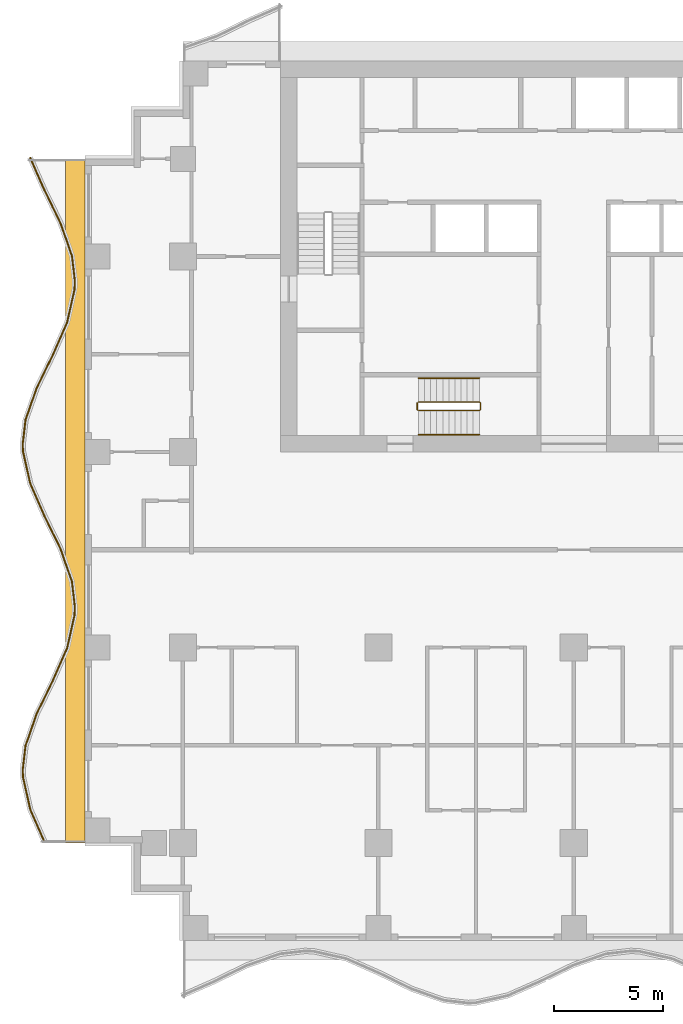
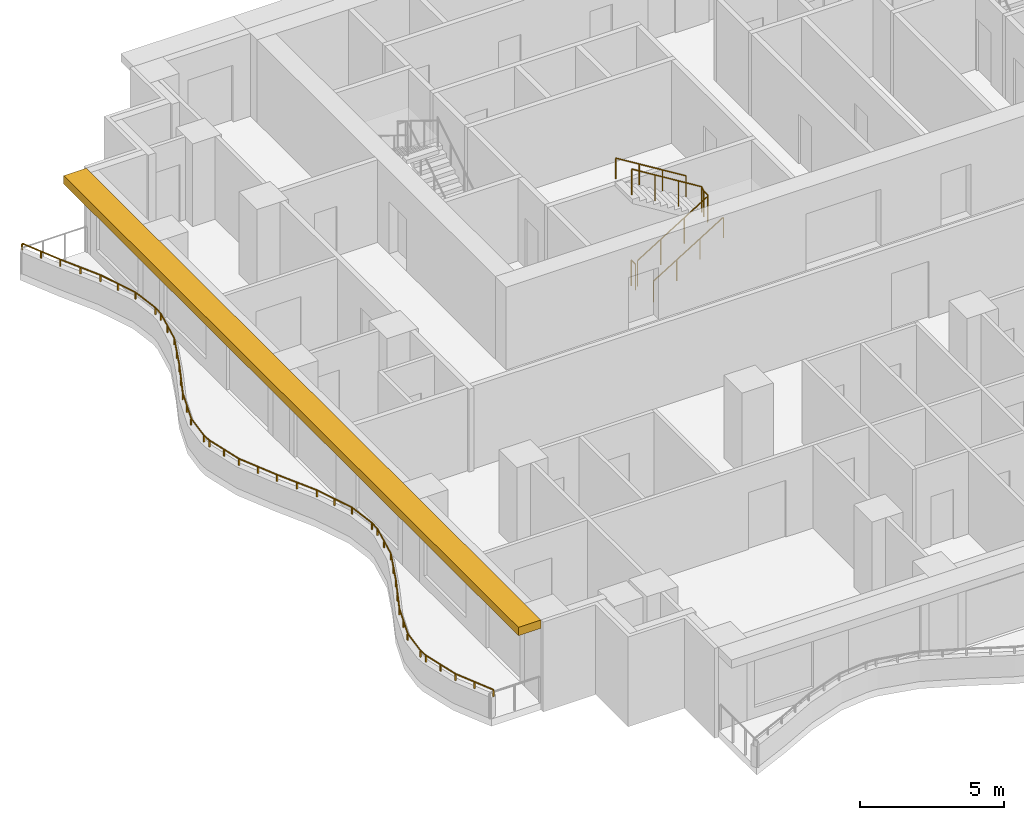
# One storey, part 8 of 10: 5 railings, 1 shading device.
"""IFC4 building model written with IfcOpenShell, lengths in metres."""

from ifc_helpers import new_model, si_unit, direction, frame, origin, origin_2d, place, context, subcontext, project, spatial, polyline, rectangle, circle, outline, extrude, material, layer, layer_set, type_object, element, save


model = new_model("IFC4")

# Units and contexts
model_context = context("Model", 3, precision=1e-05, world=origin(), true_north=direction((0.0, 1.0)))
body_context = subcontext(model_context, "Body", "Model", "MODEL_VIEW")
ifc_project = project(units=[si_unit("LENGTHUNIT", "METRE"), si_unit("AREAUNIT", "SQUARE_METRE"), si_unit("VOLUMEUNIT", "CUBIC_METRE"), si_unit("PLANEANGLEUNIT", "RADIAN"), si_unit("MASSUNIT", "GRAM", prefix="KILO")], contexts=[model_context])

# Site, building, storey
site_placement = place(None, origin())
site = spatial("IfcSite", under=ifc_project, at=site_placement, CompositionType="ELEMENT")
building_placement = place(site_placement, origin())
building = spatial("IfcBuilding", under=site, at=building_placement, Name="Orbiselva Terraces", CompositionType="ELEMENT")
storey_placement = place(building_placement, frame((0.0, 0.0, 155.4)))
storey = spatial("IfcBuildingStorey", under=building, at=storey_placement, Name="L39", CompositionType="ELEMENT", Elevation=155.4)

# Railings
ifc_material_1 = material(Name="Stainless steel", Category="steel")
railing_type_1 = type_object("IfcRailingType", Name="CORE-GUARD-1100", PredefinedType="GUARDRAIL", material=ifc_material_1)
railing_1_placement = place(storey_placement, frame((-7.15, 6.4, 0.172727)))
element("IfcRailing", 1, at=railing_1_placement, inside=storey, type_object=railing_type_1, Name="L39 S3 stair guard 1", PredefinedType="GUARDRAIL", context=body_context, shape_type="SweptSolid", body=[
    extrude(circle(Radius=0.024, at=origin_2d()), frame((0.0, 0.0, 1.081), z_axis=(0.851088519012, 0.0, 0.52502222125), x_axis=(0.0, 1.0, 0.0)), (0.0, 0.0, 1.0), 3.289905),
    extrude(circle(Radius=0.024, at=origin_2d()), frame((2.8, 0.0, 2.808273), z_axis=(0.707106781187, 0.707106781187, 0.0), x_axis=(-0.707106781187, 0.707106781187, 0.0)), (0.0, 0.0, 1.0), 0.070711),
    extrude(circle(Radius=0.024, at=origin_2d()), frame((2.85, 0.05, 2.808273), z_axis=(0.0, 1.0, 0.0), x_axis=(-1.0, 0.0, 0.0)), (0.0, 0.0, 1.0), 0.3),
    extrude(circle(Radius=0.024, at=origin_2d()), frame((2.85, 0.35, 2.808273), z_axis=(-0.267894925557, 0.267894925557, 0.925453736133), x_axis=(-0.707106781187, -0.707106781187, 0.0)), (0.0, 0.0, 1.0), 0.18664),
    extrude(circle(Radius=0.024, at=origin_2d()), frame((2.8, 0.4, 2.981), z_axis=(-0.851088519012, 0.0, 0.52502222125), x_axis=(0.0, -1.0, 0.0)), (0.0, 0.0, 1.0), 3.289905),
    extrude(circle(Radius=0.021, at=origin_2d()), origin(), (0.0, 0.0, 1.0), 1.057),
    extrude(circle(Radius=0.021, at=origin_2d()), frame((0.933333, 0.0, 0.575758)), (0.0, 0.0, 1.0), 1.057),
    extrude(circle(Radius=0.021, at=origin_2d()), frame((1.866667, 0.0, 1.151515)), (0.0, 0.0, 1.0), 1.057),
    extrude(circle(Radius=0.021, at=origin_2d()), frame((2.8, 0.0, 1.727273)), (0.0, 0.0, 1.0), 1.057),
    extrude(circle(Radius=0.021, at=origin_2d()), frame((2.85, 0.05, 1.727273)), (0.0, 0.0, 1.0), 1.057),
    extrude(circle(Radius=0.021, at=origin_2d()), frame((2.85, 0.35, 1.727273)), (0.0, 0.0, 1.0), 1.057),
    extrude(circle(Radius=0.021, at=origin_2d()), frame((2.8, 0.4, 1.9)), (0.0, 0.0, 1.0), 1.057),
    extrude(circle(Radius=0.021, at=origin_2d()), frame((1.866667, 0.4, 2.475758)), (0.0, 0.0, 1.0), 1.057),
    extrude(circle(Radius=0.021, at=origin_2d()), frame((0.933333, 0.4, 3.051515)), (0.0, 0.0, 1.0), 1.057),
    extrude(circle(Radius=0.021, at=origin_2d()), frame((0.0, 0.4, 3.627273)), (0.0, 0.0, 1.0), 1.057),
])
railing_2_placement = place(storey_placement, frame((-7.2, 6.45, 0.0)))
element("IfcRailing", 2, at=railing_2_placement, inside=storey, type_object=railing_type_1, Name="L39 S3 stair guard 2", PredefinedType="GUARDRAIL", context=body_context, shape_type="SweptSolid", body=[
    extrude(circle(Radius=0.024, at=origin_2d()), frame((0.0, 0.0, 1.081), z_axis=(0.0, 1.0, 0.0), x_axis=(-1.0, 0.0, 0.0)), (0.0, 0.0, 1.0), 0.3),
    extrude(circle(Radius=0.021, at=origin_2d()), origin(), (0.0, 0.0, 1.0), 1.057),
    extrude(circle(Radius=0.021, at=origin_2d()), frame((0.0, 0.3, 0.0)), (0.0, 0.0, 1.0), 1.057),
])
railing_type_2 = type_object("IfcRailingType", Name="CORE-HANDRAIL-900", PredefinedType="HANDRAIL", material=ifc_material_1)
railing_3_placement = place(storey_placement, frame((-7.15, 5.3, 0.172727)))
element("IfcRailing", 3, at=railing_3_placement, inside=storey, type_object=railing_type_2, Name="L39 S3 stair handrail 1", PredefinedType="HANDRAIL", context=body_context, shape_type="SweptSolid", body=[
    extrude(circle(Radius=0.024, at=origin_2d()), frame((0.0, 0.0, 0.876), z_axis=(0.851088519012, 0.0, 0.52502222125), x_axis=(0.0, 1.0, 0.0)), (0.0, 0.0, 1.0), 3.289905),
    extrude(circle(Radius=0.021, at=origin_2d()), origin(), (0.0, 0.0, 1.0), 0.852),
    extrude(circle(Radius=0.021, at=origin_2d()), frame((0.933333, 0.0, 0.575758)), (0.0, 0.0, 1.0), 0.852),
    extrude(circle(Radius=0.021, at=origin_2d()), frame((1.866667, 0.0, 1.151515)), (0.0, 0.0, 1.0), 0.852),
    extrude(circle(Radius=0.021, at=origin_2d()), frame((2.8, 0.0, 1.727273)), (0.0, 0.0, 1.0), 0.852),
])
railing_4_placement = place(storey_placement, frame((-4.35, 7.9, 2.072727)))
element("IfcRailing", 4, at=railing_4_placement, inside=storey, type_object=railing_type_2, Name="L39 S3 stair handrail 2", PredefinedType="HANDRAIL", context=body_context, shape_type="SweptSolid", body=[
    extrude(circle(Radius=0.024, at=origin_2d()), frame((0.0, 0.0, 0.876), z_axis=(-0.851088519012, 0.0, 0.52502222125), x_axis=(0.0, -1.0, 0.0)), (0.0, 0.0, 1.0), 3.289905),
    extrude(circle(Radius=0.021, at=origin_2d()), origin(), (0.0, 0.0, 1.0), 0.852),
    extrude(circle(Radius=0.021, at=origin_2d()), frame((-0.933333, 0.0, 0.575758)), (0.0, 0.0, 1.0), 0.852),
    extrude(circle(Radius=0.021, at=origin_2d()), frame((-1.866667, 0.0, 1.151515)), (0.0, 0.0, 1.0), 0.852),
    extrude(circle(Radius=0.021, at=origin_2d()), frame((-2.8, 0.0, 1.727273)), (0.0, 0.0, 1.0), 0.852),
])
ifc_material_2 = material(Name="Bonded two-ply safety glass balustrade, stainless steel posts", Category="steel")
railing_type_3 = type_object("IfcRailingType", Name="ENV-BALUSTRADE-1200", PredefinedType="BALUSTRADE", material=ifc_material_2)
railing_5_placement = place(storey_placement, frame((-25.034136, 18.050394, 0.9)))
element("IfcRailing", 5, at=railing_5_placement, inside=storey, type_object=railing_type_3, Name="Balcony balustrade L39 W", PredefinedType="BALUSTRADE", context=body_context, shape_type="SweptSolid", body=[
    extrude(outline(polyline([(0.028868, 0.0), (0.014434, 0.025), (-0.014434, 0.025), (-0.028868, 0.0), (-0.014434, -0.025), (0.014434, -0.025), (0.028868, 0.0)])), frame((0.0, 0.0, 0.275), z_axis=(0.403150940408, -0.915133498047, 0.0), x_axis=(0.915133498047, 0.403150940408, 0.0)), (0.0, 0.0, 1.0), 1.636648),
    extrude(outline(polyline([(0.028868, 0.0), (0.014434, 0.025), (-0.014434, 0.025), (-0.028868, 0.0), (-0.014434, -0.025), (0.014434, -0.025), (0.028868, 0.0)])), frame((0.659816, -1.497751, 0.275), z_axis=(0.438812048596, -0.898578870221, 0.0), x_axis=(0.898578870221, 0.438812048596, 0.0)), (0.0, 0.0, 1.0), 1.674225),
    extrude(outline(polyline([(0.028868, 0.0), (0.014434, 0.025), (-0.014434, 0.025), (-0.028868, 0.0), (-0.014434, -0.025), (0.014434, -0.025), (0.028868, 0.0)])), frame((1.394486, -3.002174, 0.275), z_axis=(0.330024597479, -0.943972332783, 0.0), x_axis=(0.943972332783, 0.330024597479, 0.0)), (0.0, 0.0, 1.0), 1.610253),
    extrude(outline(polyline([(0.028868, 0.0), (0.014434, 0.025), (-0.014434, 0.025), (-0.028868, 0.0), (-0.014434, -0.025), (0.014434, -0.025), (0.028868, 0.0)])), frame((1.925909, -4.522208, 0.275), z_axis=(0.115482182324, -0.993309551734, 0.0), x_axis=(0.993309551734, 0.115482182324, 0.0)), (0.0, 0.0, 1.0), 1.156135),
    extrude(outline(polyline([(0.028868, 0.0), (0.014434, 0.025), (-0.014434, 0.025), (-0.028868, 0.0), (-0.014434, -0.025), (0.014434, -0.025), (0.028868, 0.0)])), frame((2.059422, -5.670608, 0.275), z_axis=(-0.03936915532, -0.999224734286, 0.0), x_axis=(0.999224734286, -0.03936915532, 0.0)), (0.0, 0.0, 1.0), 0.396376),
    extrude(outline(polyline([(0.028868, 0.0), (0.014434, 0.025), (-0.014434, 0.025), (-0.028868, 0.0), (-0.014434, -0.025), (0.014434, -0.025), (0.028868, 0.0)])), frame((2.043817, -6.066677, 0.275), z_axis=(-0.219015500924, -0.97572137947, 0.0), x_axis=(0.97572137947, -0.219015500924, 0.0)), (0.0, 0.0, 1.0), 1.560867),
    extrude(outline(polyline([(0.028868, 0.0), (0.014434, 0.025), (-0.014434, 0.025), (-0.028868, 0.0), (-0.014434, -0.025), (0.014434, -0.025), (0.028868, 0.0)])), frame((1.701963, -7.589648, 0.275), z_axis=(-0.403150874148, -0.915133527237, 0.0), x_axis=(0.915133527237, -0.403150874148, 0.0)), (0.0, 0.0, 1.0), 1.653736),
    extrude(outline(polyline([(0.028868, 0.0), (0.014434, 0.025), (-0.014434, 0.025), (-0.028868, 0.0), (-0.014434, -0.025), (0.014434, -0.025), (0.028868, 0.0)])), frame((1.035258, -9.103037, 0.275), z_axis=(-0.438811978768, -0.89857890432, 0.0), x_axis=(0.89857890432, -0.438811978768, 0.0)), (0.0, 0.0, 1.0), 1.66438),
    extrude(outline(polyline([(0.028868, 0.0), (0.014434, 0.025), (-0.014434, 0.025), (-0.028868, 0.0), (-0.014434, -0.025), (0.014434, -0.025), (0.028868, 0.0)])), frame((0.304908, -10.598614, 0.275), z_axis=(-0.330024754707, -0.943972277814, 0.0), x_axis=(0.943972277814, -0.330024754707, 0.0)), (0.0, 0.0, 1.0), 1.567807),
    extrude(outline(polyline([(0.028868, 0.0), (0.014434, 0.025), (-0.014434, 0.025), (-0.028868, 0.0), (-0.014434, -0.025), (0.014434, -0.025), (0.028868, 0.0)])), frame((-0.212507, -12.07858, 0.275), z_axis=(-0.115481264762, -0.993309658409, 0.0), x_axis=(0.993309658409, -0.115481264762, 0.0)), (0.0, 0.0, 1.0), 1.10902),
    extrude(outline(polyline([(0.028868, 0.0), (0.014434, 0.025), (-0.014434, 0.025), (-0.028868, 0.0), (-0.014434, -0.025), (0.014434, -0.025), (0.028868, 0.0)])), frame((-0.340578, -13.18018, 0.275), z_axis=(0.039364150694, -0.999224931454, 0.0), x_axis=(0.999224931454, 0.039364150694, 0.0)), (0.0, 0.0, 1.0), 0.354206),
    extrude(outline(polyline([(0.028868, 0.0), (0.014434, 0.025), (-0.014434, 0.025), (-0.028868, 0.0), (-0.014434, -0.025), (0.014434, -0.025), (0.028868, 0.0)])), frame((-0.326635, -13.534111, 0.275), z_axis=(0.219015740235, -0.975721325753, 0.0), x_axis=(0.975721325753, 0.219015740235, 0.0)), (0.0, 0.0, 1.0), 1.513782),
    extrude(outline(polyline([(0.028868, 0.0), (0.014434, 0.025), (-0.014434, 0.025), (-0.028868, 0.0), (-0.014434, -0.025), (0.014434, -0.025), (0.028868, 0.0)])), frame((0.004907, -15.01114, 0.275), z_axis=(0.403151245402, -0.915133363686, 0.0), x_axis=(0.915133363686, 0.403151245402, 0.0)), (0.0, 0.0, 1.0), 1.624475),
    extrude(outline(polyline([(0.028868, 0.0), (0.014434, 0.025), (-0.014434, 0.025), (-0.028868, 0.0), (-0.014434, -0.025), (0.014434, -0.025), (0.028868, 0.0)])), frame((0.659816, -16.497751, 0.275), z_axis=(0.438812048596, -0.898578870221, 0.0), x_axis=(0.898578870221, 0.438812048596, 0.0)), (0.0, 0.0, 1.0), 1.674225),
    extrude(outline(polyline([(0.028868, 0.0), (0.014434, 0.025), (-0.014434, 0.025), (-0.028868, 0.0), (-0.014434, -0.025), (0.014434, -0.025), (0.028868, 0.0)])), frame((1.394486, -18.002174, 0.275), z_axis=(0.330024597479, -0.943972332783, 0.0), x_axis=(0.943972332783, 0.330024597479, 0.0)), (0.0, 0.0, 1.0), 1.610253),
    extrude(outline(polyline([(0.028868, 0.0), (0.014434, 0.025), (-0.014434, 0.025), (-0.028868, 0.0), (-0.014434, -0.025), (0.014434, -0.025), (0.028868, 0.0)])), frame((1.925909, -19.522208, 0.275), z_axis=(0.115482182324, -0.993309551734, 0.0), x_axis=(0.993309551734, 0.115482182324, 0.0)), (0.0, 0.0, 1.0), 1.156135),
    extrude(outline(polyline([(0.028868, 0.0), (0.014434, 0.025), (-0.014434, 0.025), (-0.028868, 0.0), (-0.014434, -0.025), (0.014434, -0.025), (0.028868, 0.0)])), frame((2.059422, -20.670608, 0.275), z_axis=(-0.03936915532, -0.999224734286, 0.0), x_axis=(0.999224734286, -0.03936915532, 0.0)), (0.0, 0.0, 1.0), 0.396376),
    extrude(outline(polyline([(0.028868, 0.0), (0.014434, 0.025), (-0.014434, 0.025), (-0.028868, 0.0), (-0.014434, -0.025), (0.014434, -0.025), (0.028868, 0.0)])), frame((2.043817, -21.066677, 0.275), z_axis=(-0.219015500924, -0.97572137947, 0.0), x_axis=(0.97572137947, -0.219015500924, 0.0)), (0.0, 0.0, 1.0), 1.560867),
    extrude(outline(polyline([(0.028868, 0.0), (0.014434, 0.025), (-0.014434, 0.025), (-0.028868, 0.0), (-0.014434, -0.025), (0.014434, -0.025), (0.028868, 0.0)])), frame((1.701963, -22.589648, 0.275), z_axis=(-0.403150874148, -0.915133527237, 0.0), x_axis=(0.915133527237, -0.403150874148, 0.0)), (0.0, 0.0, 1.0), 1.653736),
    extrude(outline(polyline([(0.028868, 0.0), (0.014434, 0.025), (-0.014434, 0.025), (-0.028868, 0.0), (-0.014434, -0.025), (0.014434, -0.025), (0.028868, 0.0)])), frame((1.035258, -24.103037, 0.275), z_axis=(-0.438811978768, -0.89857890432, 0.0), x_axis=(0.89857890432, -0.438811978768, 0.0)), (0.0, 0.0, 1.0), 1.66438),
    extrude(outline(polyline([(0.028868, 0.0), (0.014434, 0.025), (-0.014434, 0.025), (-0.028868, 0.0), (-0.014434, -0.025), (0.014434, -0.025), (0.028868, 0.0)])), frame((0.304908, -25.598614, 0.275), z_axis=(-0.330024754707, -0.943972277814, 0.0), x_axis=(0.943972277814, -0.330024754707, 0.0)), (0.0, 0.0, 1.0), 1.567807),
    extrude(outline(polyline([(0.028868, 0.0), (0.014434, 0.025), (-0.014434, 0.025), (-0.028868, 0.0), (-0.014434, -0.025), (0.014434, -0.025), (0.028868, 0.0)])), frame((-0.212507, -27.07858, 0.275), z_axis=(-0.115481264762, -0.993309658409, 0.0), x_axis=(0.993309658409, -0.115481264762, 0.0)), (0.0, 0.0, 1.0), 1.10902),
    extrude(outline(polyline([(0.028868, 0.0), (0.014434, 0.025), (-0.014434, 0.025), (-0.028868, 0.0), (-0.014434, -0.025), (0.014434, -0.025), (0.028868, 0.0)])), frame((-0.340578, -28.18018, 0.275), z_axis=(0.039364150694, -0.999224931454, 0.0), x_axis=(0.999224931454, 0.039364150694, 0.0)), (0.0, 0.0, 1.0), 0.354206),
    extrude(outline(polyline([(0.028868, 0.0), (0.014434, 0.025), (-0.014434, 0.025), (-0.028868, 0.0), (-0.014434, -0.025), (0.014434, -0.025), (0.028868, 0.0)])), frame((-0.326635, -28.534111, 0.275), z_axis=(0.219015740235, -0.975721325753, 0.0), x_axis=(0.975721325753, 0.219015740235, 0.0)), (0.0, 0.0, 1.0), 1.513782),
    extrude(outline(polyline([(0.028868, 0.0), (0.014434, 0.025), (-0.014434, 0.025), (-0.028868, 0.0), (-0.014434, -0.025), (0.014434, -0.025), (0.028868, 0.0)])), frame((0.004907, -30.01114, 0.275), z_axis=(0.403151363532, -0.915133311645, 0.0), x_axis=(0.915133311645, 0.403151363532, 0.0)), (0.0, 0.0, 1.0), 1.626932),
    extrude(rectangle(XDim=0.05, YDim=0.05, at=origin_2d()), origin(), (0.0, 0.0, 1.0), 0.25),
    extrude(rectangle(XDim=0.05, YDim=0.05, at=origin_2d()), frame((0.329908, -0.748876, 0.0)), (0.0, 0.0, 1.0), 0.25),
    extrude(rectangle(XDim=0.05, YDim=0.05, at=origin_2d()), frame((0.659816, -1.497751, 0.0)), (0.0, 0.0, 1.0), 0.25),
    extrude(rectangle(XDim=0.05, YDim=0.05, at=origin_2d()), frame((1.027151, -2.249963, 0.0)), (0.0, 0.0, 1.0), 0.25),
    extrude(rectangle(XDim=0.05, YDim=0.05, at=origin_2d()), frame((1.394486, -3.002174, 0.0)), (0.0, 0.0, 1.0), 0.25),
    extrude(rectangle(XDim=0.05, YDim=0.05, at=origin_2d()), frame((1.660198, -3.762191, 0.0)), (0.0, 0.0, 1.0), 0.25),
    extrude(rectangle(XDim=0.05, YDim=0.05, at=origin_2d()), frame((1.925909, -4.522208, 0.0)), (0.0, 0.0, 1.0), 0.25),
    extrude(rectangle(XDim=0.05, YDim=0.05, at=origin_2d()), frame((2.059422, -5.670608, 0.0)), (0.0, 0.0, 1.0), 0.25),
    extrude(rectangle(XDim=0.05, YDim=0.05, at=origin_2d()), frame((2.043817, -6.066677, 0.0)), (0.0, 0.0, 1.0), 0.25),
    extrude(rectangle(XDim=0.05, YDim=0.05, at=origin_2d()), frame((1.87289, -6.828162, 0.0)), (0.0, 0.0, 1.0), 0.25),
    extrude(rectangle(XDim=0.05, YDim=0.05, at=origin_2d()), frame((1.701963, -7.589648, 0.0)), (0.0, 0.0, 1.0), 0.25),
    extrude(rectangle(XDim=0.05, YDim=0.05, at=origin_2d()), frame((1.36861, -8.346342, 0.0)), (0.0, 0.0, 1.0), 0.25),
    extrude(rectangle(XDim=0.05, YDim=0.05, at=origin_2d()), frame((1.035258, -9.103037, 0.0)), (0.0, 0.0, 1.0), 0.25),
    extrude(rectangle(XDim=0.05, YDim=0.05, at=origin_2d()), frame((0.670083, -9.850826, 0.0)), (0.0, 0.0, 1.0), 0.25),
    extrude(rectangle(XDim=0.05, YDim=0.05, at=origin_2d()), frame((0.304908, -10.598614, 0.0)), (0.0, 0.0, 1.0), 0.25),
    extrude(rectangle(XDim=0.05, YDim=0.05, at=origin_2d()), frame((0.046201, -11.338597, 0.0)), (0.0, 0.0, 1.0), 0.25),
    extrude(rectangle(XDim=0.05, YDim=0.05, at=origin_2d()), frame((-0.212507, -12.07858, 0.0)), (0.0, 0.0, 1.0), 0.25),
    extrude(rectangle(XDim=0.05, YDim=0.05, at=origin_2d()), frame((-0.340578, -13.18018, 0.0)), (0.0, 0.0, 1.0), 0.25),
    extrude(rectangle(XDim=0.05, YDim=0.05, at=origin_2d()), frame((-0.326635, -13.534111, 0.0)), (0.0, 0.0, 1.0), 0.25),
    extrude(rectangle(XDim=0.05, YDim=0.05, at=origin_2d()), frame((-0.160864, -14.272626, 0.0)), (0.0, 0.0, 1.0), 0.25),
    extrude(rectangle(XDim=0.05, YDim=0.05, at=origin_2d()), frame((0.004907, -15.01114, 0.0)), (0.0, 0.0, 1.0), 0.25),
    extrude(rectangle(XDim=0.05, YDim=0.05, at=origin_2d()), frame((0.332361, -15.754446, 0.0)), (0.0, 0.0, 1.0), 0.25),
    extrude(rectangle(XDim=0.05, YDim=0.05, at=origin_2d()), frame((0.659816, -16.497751, 0.0)), (0.0, 0.0, 1.0), 0.25),
    extrude(rectangle(XDim=0.05, YDim=0.05, at=origin_2d()), frame((1.027151, -17.249963, 0.0)), (0.0, 0.0, 1.0), 0.25),
    extrude(rectangle(XDim=0.05, YDim=0.05, at=origin_2d()), frame((1.394486, -18.002174, 0.0)), (0.0, 0.0, 1.0), 0.25),
    extrude(rectangle(XDim=0.05, YDim=0.05, at=origin_2d()), frame((1.660198, -18.762191, 0.0)), (0.0, 0.0, 1.0), 0.25),
    extrude(rectangle(XDim=0.05, YDim=0.05, at=origin_2d()), frame((1.925909, -19.522208, 0.0)), (0.0, 0.0, 1.0), 0.25),
    extrude(rectangle(XDim=0.05, YDim=0.05, at=origin_2d()), frame((2.059422, -20.670608, 0.0)), (0.0, 0.0, 1.0), 0.25),
    extrude(rectangle(XDim=0.05, YDim=0.05, at=origin_2d()), frame((2.043817, -21.066677, 0.0)), (0.0, 0.0, 1.0), 0.25),
    extrude(rectangle(XDim=0.05, YDim=0.05, at=origin_2d()), frame((1.87289, -21.828162, 0.0)), (0.0, 0.0, 1.0), 0.25),
    extrude(rectangle(XDim=0.05, YDim=0.05, at=origin_2d()), frame((1.701963, -22.589648, 0.0)), (0.0, 0.0, 1.0), 0.25),
    extrude(rectangle(XDim=0.05, YDim=0.05, at=origin_2d()), frame((1.36861, -23.346342, 0.0)), (0.0, 0.0, 1.0), 0.25),
    extrude(rectangle(XDim=0.05, YDim=0.05, at=origin_2d()), frame((1.035258, -24.103037, 0.0)), (0.0, 0.0, 1.0), 0.25),
    extrude(rectangle(XDim=0.05, YDim=0.05, at=origin_2d()), frame((0.670083, -24.850826, 0.0)), (0.0, 0.0, 1.0), 0.25),
    extrude(rectangle(XDim=0.05, YDim=0.05, at=origin_2d()), frame((0.304908, -25.598614, 0.0)), (0.0, 0.0, 1.0), 0.25),
    extrude(rectangle(XDim=0.05, YDim=0.05, at=origin_2d()), frame((0.046201, -26.338597, 0.0)), (0.0, 0.0, 1.0), 0.25),
    extrude(rectangle(XDim=0.05, YDim=0.05, at=origin_2d()), frame((-0.212507, -27.07858, 0.0)), (0.0, 0.0, 1.0), 0.25),
    extrude(rectangle(XDim=0.05, YDim=0.05, at=origin_2d()), frame((-0.340578, -28.18018, 0.0)), (0.0, 0.0, 1.0), 0.25),
    extrude(rectangle(XDim=0.05, YDim=0.05, at=origin_2d()), frame((-0.326635, -28.534111, 0.0)), (0.0, 0.0, 1.0), 0.25),
    extrude(rectangle(XDim=0.05, YDim=0.05, at=origin_2d()), frame((-0.160864, -29.272626, 0.0)), (0.0, 0.0, 1.0), 0.25),
    extrude(rectangle(XDim=0.05, YDim=0.05, at=origin_2d()), frame((0.004907, -30.01114, 0.0)), (0.0, 0.0, 1.0), 0.25),
    extrude(rectangle(XDim=0.05, YDim=0.05, at=origin_2d()), frame((0.332857, -30.75557, 0.0)), (0.0, 0.0, 1.0), 0.25),
    extrude(rectangle(XDim=0.05, YDim=0.05, at=origin_2d()), frame((0.660807, -31.5, 0.0)), (0.0, 0.0, 1.0), 0.25),
])

# Shading device
ifc_material_3 = material(Name="Terracotta baguette sunshade", Category="masonry")
ifc_layer = layer(ifc_material_3, 0.35)
ifc_layer_set = layer_set([ifc_layer], Name="Terracotta baguette sunshade")
shading_device_type = type_object("IfcShadingDeviceType", Name="ENV-SUNSHADE-900x350", PredefinedType="USERDEFINED", material=ifc_layer_set)
shading_device_placement = place(storey_placement, frame((0.0, 0.0, 3.15)))
element("IfcShadingDevice", 6, at=shading_device_placement, inside=storey, type_object=shading_device_type, Name="Sunshade band L39 W", ObjectType="SUNSHADE", PredefinedType="USERDEFINED", context=body_context, shape_type="SweptSolid", body=[
    extrude(outline(polyline([(-23.4, 18.0), (-23.4, -13.5), (-22.5, -13.5), (-22.5, 18.0), (-23.4, 18.0)])), origin(), (0.0, 0.0, 1.0), 0.35),
])

save(model, "model.ifc")
